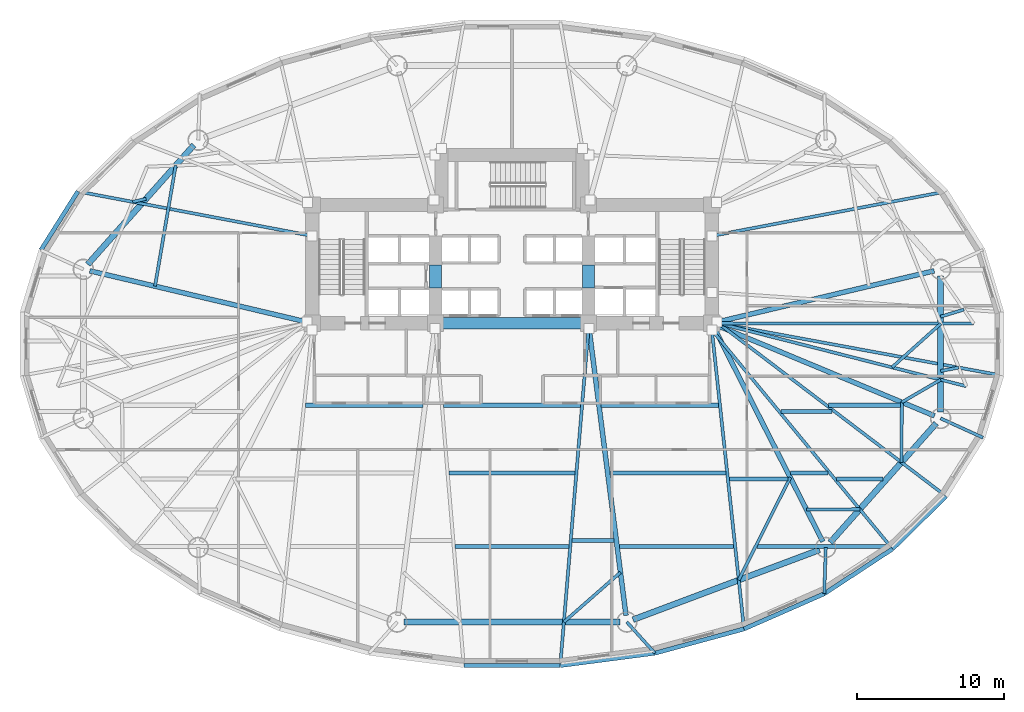
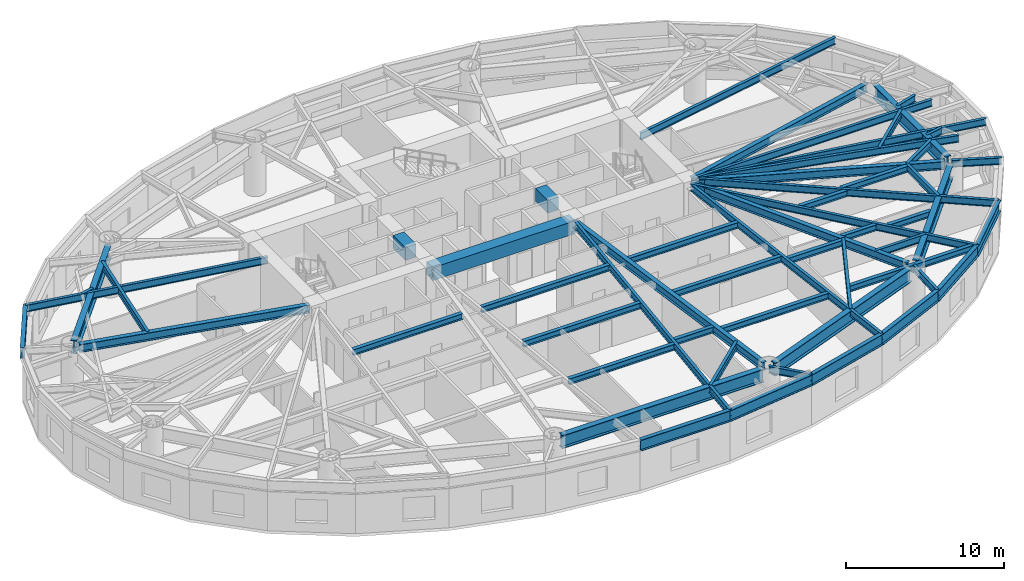
# One storey, part 2 of 14: 56 beams.
"""IFC4 building model written with IfcOpenShell, lengths in metres."""

import ifcopenshell
import ifcopenshell.guid

model = None  # the IFC model being written
_history = None  # IfcOwnerHistory: only IFC2X3 demands one
_inside = {}  # id of a spatial element -> (the spatial element, [elements in it])
_under = {}  # id of a project, library or spatial element -> (it, [spatial elements below it])
_declared = {}  # id of a project -> (the project, [libraries it declares])
_typed = {}  # id of a type object -> (the type object, [elements of that type])
_made_of = {}  # id of a material, layer set ... -> (it, [elements and type objects made of it])


def new_model(schema):
    """Start an empty IFC model of exactly this schema.

    Asked for "IFC4X3", IfcOpenShell would pick the latest addendum, in which some entities
    have other attributes; the version numbers below select the first issue.
    IFC2X3 requires an IfcOwnerHistory on every rooted entity: one is made here for all.
    """
    global model, _history
    if schema == "IFC4X3":
        model = ifcopenshell.file(schema_version=(4, 3, 0, 0))
    else:
        model = ifcopenshell.file(schema=schema)
    _inside.clear()
    _under.clear()
    _declared.clear()
    _typed.clear()
    _made_of.clear()
    _history = None
    if model.schema == "IFC2X3":
        org = make("IfcOrganization", Name="unknown")
        user = make(
            "IfcPersonAndOrganization",
            ThePerson=make("IfcPerson", FamilyName="unknown"),
            TheOrganization=org,
        )
        app = make(
            "IfcApplication",
            ApplicationDeveloper=org,
            Version="unknown",
            ApplicationFullName="unknown",
            ApplicationIdentifier="unknown",
        )
        _history = make(
            "IfcOwnerHistory",
            OwningUser=user,
            OwningApplication=app,
            ChangeAction="ADDED",
            CreationDate=0,
        )
    return model


def make(cls, **values):
    """One entity of the class cls with the attributes given. An attribute that is None is left unset."""
    return model.create_entity(
        cls, **{name: value for name, value in values.items() if value is not None}
    )


def rooted(cls, **values):
    """An entity with a GlobalId (a new one), such as an element, a storey or a relation."""
    return make(cls, GlobalId=ifcopenshell.guid.new(), OwnerHistory=_history, **values)


def si_unit(unit_type, name, prefix=None):
    """IfcSIUnit, for example si_unit("LENGTHUNIT", "METRE", prefix="MILLI")."""
    return make("IfcSIUnit", UnitType=unit_type, Prefix=prefix, Name=name)


def assignment(units):
    """IfcUnitAssignment: the units of a project."""
    return None if units is None else make("IfcUnitAssignment", Units=units)


def point(xyz):
    """IfcCartesianPoint."""
    return None if xyz is None else make("IfcCartesianPoint", Coordinates=xyz)


def direction(xyz):
    """IfcDirection."""
    return None if xyz is None else make("IfcDirection", DirectionRatios=xyz)


def frame(location, z_axis=None, x_axis=None):
    """IfcAxis2Placement3D, a coordinate frame: its origin and axes. An axis left out is left unset."""
    return make(
        "IfcAxis2Placement3D",
        Location=point(location),
        Axis=direction(z_axis),
        RefDirection=direction(x_axis),
    )


def frame_2d(location, x_axis=None):
    """IfcAxis2Placement2D, a coordinate frame in the plane: its origin and x axis."""
    return make(
        "IfcAxis2Placement2D", Location=point(location), RefDirection=direction(x_axis)
    )


def origin():
    """The frame at (0, 0, 0) with its axes left unset."""
    return frame((0.0, 0.0, 0.0))


def origin_2d():
    """The frame at (0, 0) in the plane with its x axis left unset."""
    return frame_2d((0.0, 0.0))


def place(relative_to, where):
    """IfcLocalPlacement: puts the frame where relative to a parent placement (None: the world)."""
    return make(
        "IfcLocalPlacement", PlacementRelTo=relative_to, RelativePlacement=where
    )


def context(
    kind, dimensions, precision=None, world=None, true_north=None, identifier=None
):
    """IfcGeometricRepresentationContext, for example the 3D "Model" context."""
    return make(
        "IfcGeometricRepresentationContext",
        ContextIdentifier=identifier,
        ContextType=kind,
        CoordinateSpaceDimension=dimensions,
        Precision=precision,
        WorldCoordinateSystem=world,
        TrueNorth=true_north,
    )


def subcontext(parent, identifier, kind, view, scale=None):
    """IfcGeometricRepresentationSubContext, for example "Body" below "Model"."""
    return make(
        "IfcGeometricRepresentationSubContext",
        ContextIdentifier=identifier,
        ContextType=kind,
        ParentContext=parent,
        TargetScale=scale,
        TargetView=view,
    )


def project(units=None, contexts=None):
    """IfcProject with its units and contexts."""
    return rooted(
        "IfcProject",
        Name="project",
        RepresentationContexts=contexts,
        UnitsInContext=assignment(units),
    )


def spatial(cls, under=None, at=None, **own):
    """A site, building, storey or space (cls), placed at a placement, below another one or the project."""
    s = rooted(cls, ObjectPlacement=at, **own)
    if under is not None:
        _under.setdefault(under.id(), (under, []))[1].append(s)
    return s


def profile(cls, at=None, kind="AREA", **sizes):
    """A parametric profile (cls). Its sizes go by their IFC names, for example OverallWidth=200.0."""
    return make(cls, ProfileType=kind, Position=at, **sizes)


def rectangle(**sizes):
    """IfcRectangleProfileDef."""
    return profile("IfcRectangleProfileDef", **sizes)


def i_section(**sizes):
    """IfcIShapeProfileDef."""
    return profile("IfcIShapeProfileDef", **sizes)


def extrude(swept, where, along, depth):
    """IfcExtrudedAreaSolid: the profile swept, set in the frame where, extruded along a direction by depth."""
    return make(
        "IfcExtrudedAreaSolid",
        SweptArea=swept,
        Position=where,
        ExtrudedDirection=direction(along),
        Depth=depth,
    )


def shape(context_of_items, identifier, shape_type, items):
    """IfcShapeRepresentation: the items that make up one representation, for example the "Body"."""
    return make(
        "IfcShapeRepresentation",
        ContextOfItems=context_of_items,
        RepresentationIdentifier=identifier,
        RepresentationType=shape_type,
        Items=items,
    )


def material(Name=None, Category=None):
    """IfcMaterial."""
    return make("IfcMaterial", Name=Name, Category=Category)


def material_profile(
    of_material, cross_section, Name=None, Category=None, Priority=None
):
    """IfcMaterialProfile: a cross section and its material."""
    return make(
        "IfcMaterialProfile",
        Name=Name,
        Material=of_material,
        Profile=cross_section,
        Priority=Priority,
        Category=Category,
    )


def profile_set(profiles, Name=None, composite=None):
    """IfcMaterialProfileSet."""
    return make(
        "IfcMaterialProfileSet",
        Name=Name,
        MaterialProfiles=profiles,
        CompositeProfile=composite,
    )


def made_of(thing, what):
    """Note that an element or type object is made of a material, layer set ...; save() writes the relation."""
    if what is not None:
        _made_of.setdefault(what.id(), (what, []))[1].append(thing)
    return thing


def type_object(cls, material=None, **own):
    """A type object (cls), such as IfcWallType, which elements share."""
    return made_of(rooted(cls, **own), material)


def element(
    cls,
    number,
    at=None,
    inside=None,
    cuts=None,
    type_object=None,
    material=None,
    context=None,
    identifier="Body",
    shape_type=None,
    held_by="IfcProductDefinitionShape",
    body=None,
    shapes=None,
    **own,
):
    """One element of the class cls, such as IfcWall. Its Tag is "e" and its number.

    at: its placement. inside: the storey or other place that contains it. cuts: it is an
    opening in that element (IfcRelVoidsElement). A single representation is given by context,
    identifier, shape_type and body (its items); several are given by shapes. held_by: the class
    of the entity that holds the representations. save() writes the other relations.
    """
    e = rooted(cls, Tag="e%d" % number, ObjectPlacement=at, **own)
    if body is not None:
        shapes = [shape(context, identifier, shape_type, body)]
    if shapes is not None:
        e.Representation = make(held_by, Representations=shapes)
    if inside is not None:
        _inside.setdefault(inside.id(), (inside, []))[1].append(e)
    if cuts is not None:
        rooted(
            "IfcRelVoidsElement", RelatingBuildingElement=cuts, RelatedOpeningElement=e
        )
    if type_object is not None:
        _typed.setdefault(type_object.id(), (type_object, []))[1].append(e)
    return made_of(e, material)


def aggregate(whole, parts):
    """IfcRelAggregates: a whole, such as a stair, and the parts it consists of."""
    return rooted("IfcRelAggregates", RelatingObject=whole, RelatedObjects=parts)


def save(model, path):
    """Write the relations noted so far, then the file.

    IfcRelAggregates (storeys below a building ...), IfcRelContainedInSpatialStructure (elements
    in a storey), IfcRelDefinesByType, IfcRelAssociatesMaterial and IfcRelDeclares: one each for
    every whole, place, type object, material and project.
    """
    for whole, parts in _under.values():
        aggregate(whole, parts)
    for where, things in _inside.values():
        rooted(
            "IfcRelContainedInSpatialStructure",
            RelatedElements=things,
            RelatingStructure=where,
        )
    for kind, things in _typed.values():
        rooted("IfcRelDefinesByType", RelatedObjects=things, RelatingType=kind)
    for what, things in _made_of.values():
        rooted("IfcRelAssociatesMaterial", RelatedObjects=things, RelatingMaterial=what)
    for by, libraries in _declared.values():
        rooted("IfcRelDeclares", RelatingContext=by, RelatedDefinitions=libraries)
    model.write(path)


model = new_model("IFC4")

# Units and contexts
model_context = context("Model", 3, precision=1e-05, world=origin(), true_north=direction((0.0, 1.0)))
body_context = subcontext(model_context, "Body", "Model", "MODEL_VIEW")
ifc_project = project(units=[si_unit("LENGTHUNIT", "METRE"), si_unit("AREAUNIT", "SQUARE_METRE"), si_unit("VOLUMEUNIT", "CUBIC_METRE"), si_unit("PLANEANGLEUNIT", "RADIAN"), si_unit("MASSUNIT", "GRAM", prefix="KILO")], contexts=[model_context])

# Site, building, storey
site_placement = place(None, origin())
site = spatial("IfcSite", under=ifc_project, at=site_placement, CompositionType="ELEMENT")
building_placement = place(site_placement, origin())
building = spatial("IfcBuilding", under=site, at=building_placement, Name="Keldmark Tower", CompositionType="ELEMENT")
storey_placement = place(building_placement, frame((0.0, 0.0, 14.39990234375)))
storey = spatial("IfcBuildingStorey", under=building, at=storey_placement, Name="L03", CompositionType="ELEMENT", Elevation=14.39990234375)

# Beams
ifc_material_1 = material(Name="Steel ASTM A992 Grade 50", Category="steel")
ifc_material_profile_1 = material_profile(ifc_material_1, i_section(OverallWidth=0.280029296875, OverallDepth=0.462890625, WebThickness=0.0107421875, FlangeThickness=0.017333984375, at=origin_2d()), Name="W18X76")
ifc_profile_set_1 = profile_set([ifc_material_profile_1], Name="Steel ASTM A992 Grade 50")
beam_type_1 = type_object("IfcBeamType", Name="Composite Floor Joist W18X76", PredefinedType="JOIST", material=ifc_profile_set_1)
beam_1_placement = place(storey_placement, frame((-3.8662109375, -13.800048828125, 3.74853515625), z_axis=(1.0, 0.0, 0.0), x_axis=(0.0, 1.0, 0.0)))
element("IfcBeam", 1, at=beam_1_placement, inside=storey, type_object=beam_type_1, Name="L03 Composite Floor Joist J04", PredefinedType="JOIST", context=body_context, shape_type="SweptSolid", body=[
    extrude(i_section(OverallWidth=0.280029296875, OverallDepth=0.462890625, WebThickness=0.0107421875, FlangeThickness=0.017333984375, at=origin_2d()), origin(), (0.0, 0.0, 1.0), 7.732421875),
])
beam_2_placement = place(storey_placement, frame((4.09423828125, -13.3798828125, 3.74853515625), z_axis=(1.0, 0.0, 0.0), x_axis=(0.0, 1.0, 0.0)))
element("IfcBeam", 2, at=beam_2_placement, inside=storey, type_object=beam_type_1, Name="L03 Composite Floor Joist J05", PredefinedType="JOIST", context=body_context, shape_type="SweptSolid", body=[
    extrude(i_section(OverallWidth=0.280029296875, OverallDepth=0.462890625, WebThickness=0.0107421875, FlangeThickness=0.017333984375, at=origin_2d()), origin(), (0.0, 0.0, 1.0), 2.851806640625),
])
beam_3_placement = place(storey_placement, frame((7.311767578125, -13.800048828125, 3.74853515625), z_axis=(1.0, 0.0, 0.0), x_axis=(0.0, 1.0, 0.0)))
element("IfcBeam", 3, at=beam_3_placement, inside=storey, type_object=beam_type_1, Name="L03 Composite Floor Joist J06", PredefinedType="JOIST", context=body_context, shape_type="SweptSolid", body=[
    extrude(i_section(OverallWidth=0.280029296875, OverallDepth=0.462890625, WebThickness=0.0107421875, FlangeThickness=0.017333984375, at=origin_2d()), origin(), (0.0, 0.0, 1.0), 7.780029296875),
])
beam_4_placement = place(storey_placement, frame((16.68310546875, -13.800048828125, 3.74853515625), z_axis=(1.0, 0.0, 0.0), x_axis=(0.0, 1.0, 0.0)))
element("IfcBeam", 4, at=beam_4_placement, inside=storey, type_object=beam_type_1, Name="L03 Composite Floor Joist J07", PredefinedType="JOIST", context=body_context, shape_type="SweptSolid", body=[
    extrude(i_section(OverallWidth=0.280029296875, OverallDepth=0.462890625, WebThickness=0.0107421875, FlangeThickness=0.017333984375, at=origin_2d()), origin(), (0.0, 0.0, 1.0), 8.95751953125),
])
beam_5_placement = place(storey_placement, frame((-4.287353515625, -8.780029296875, 3.74853515625), z_axis=(1.0, 0.0, 0.0), x_axis=(0.0, 1.0, 0.0)))
element("IfcBeam", 5, at=beam_5_placement, inside=storey, type_object=beam_type_1, Name="L03 Composite Floor Joist J12", PredefinedType="JOIST", context=body_context, shape_type="SweptSolid", body=[
    extrude(i_section(OverallWidth=0.280029296875, OverallDepth=0.462890625, WebThickness=0.0107421875, FlangeThickness=0.017333984375, at=origin_2d()), origin(), (0.0, 0.0, 1.0), 8.57470703125),
])
beam_6_placement = place(storey_placement, frame((6.665771484375, -8.780029296875, 3.74853515625), z_axis=(1.0, 0.0, 0.0), x_axis=(0.0, 1.0, 0.0)))
element("IfcBeam", 6, at=beam_6_placement, inside=storey, type_object=beam_type_1, Name="L03 Composite Floor Joist J13", PredefinedType="JOIST", context=body_context, shape_type="SweptSolid", body=[
    extrude(i_section(OverallWidth=0.280029296875, OverallDepth=0.462890625, WebThickness=0.0107421875, FlangeThickness=0.017333984375, at=origin_2d()), origin(), (0.0, 0.0, 1.0), 7.885498046875),
])
beam_7_placement = place(storey_placement, frame((14.789794921875, -9.199951171875, 3.74853515625), z_axis=(1.0, 0.0, 0.0), x_axis=(0.0, 1.0, 0.0)))
element("IfcBeam", 7, at=beam_7_placement, inside=storey, type_object=beam_type_1, Name="L03 Composite Floor Joist J14", PredefinedType="JOIST", context=body_context, shape_type="SweptSolid", body=[
    extrude(i_section(OverallWidth=0.280029296875, OverallDepth=0.462890625, WebThickness=0.0107421875, FlangeThickness=0.017333984375, at=origin_2d()), origin(), (0.0, 0.0, 1.0), 3.982421875),
])
beam_8_placement = place(storey_placement, frame((18.947265625, -8.780029296875, 3.74853515625), z_axis=(1.0, 0.0, 0.0), x_axis=(0.0, 1.0, 0.0)))
element("IfcBeam", 8, at=beam_8_placement, inside=storey, type_object=beam_type_1, Name="L03 Composite Floor Joist J15", PredefinedType="JOIST", context=body_context, shape_type="SweptSolid", body=[
    extrude(i_section(OverallWidth=0.280029296875, OverallDepth=0.462890625, WebThickness=0.0107421875, FlangeThickness=0.017333984375, at=origin_2d()), origin(), (0.0, 0.0, 1.0), 2.552734375),
])
beam_9_placement = place(storey_placement, frame((22.09814453125, -9.199951171875, 3.74853515625), z_axis=(1.0, 0.0, 0.0), x_axis=(0.0, 1.0, 0.0)))
element("IfcBeam", 9, at=beam_9_placement, inside=storey, type_object=beam_type_1, Name="L03 Composite Floor Joist J16", PredefinedType="JOIST", context=body_context, shape_type="SweptSolid", body=[
    extrude(i_section(OverallWidth=0.280029296875, OverallDepth=0.462890625, WebThickness=0.0107421875, FlangeThickness=0.017333984375, at=origin_2d()), origin(), (0.0, 0.0, 1.0), 3.142822265625),
])
beam_10_placement = place(storey_placement, frame((-14.055908203125, -4.179931640625, 3.74853515625), z_axis=(1.0, 0.0, 0.0), x_axis=(0.0, 1.0, 0.0)))
element("IfcBeam", 10, at=beam_10_placement, inside=storey, type_object=beam_type_1, Name="L03 Composite Floor Joist J20", PredefinedType="JOIST", context=body_context, shape_type="SweptSolid", body=[
    extrude(i_section(OverallWidth=0.280029296875, OverallDepth=0.462890625, WebThickness=0.0107421875, FlangeThickness=0.017333984375, at=origin_2d()), origin(), (0.0, 0.0, 1.0), 7.98193359375),
])
beam_11_placement = place(storey_placement, frame((-4.67333984375, -4.179931640625, 3.74853515625), z_axis=(1.0, 0.0, 0.0), x_axis=(0.0, 1.0, 0.0)))
element("IfcBeam", 11, at=beam_11_placement, inside=storey, type_object=beam_type_1, Name="L03 Composite Floor Joist J21", PredefinedType="JOIST", context=body_context, shape_type="SweptSolid", body=[
    extrude(i_section(OverallWidth=0.280029296875, OverallDepth=0.462890625, WebThickness=0.0107421875, FlangeThickness=0.017333984375, at=origin_2d()), origin(), (0.0, 0.0, 1.0), 9.3466796875),
])
beam_12_placement = place(storey_placement, frame((6.073974609375, -4.179931640625, 3.74853515625), z_axis=(1.0, 0.0, 0.0), x_axis=(0.0, 1.0, 0.0)))
element("IfcBeam", 12, at=beam_12_placement, inside=storey, type_object=beam_type_1, Name="L03 Composite Floor Joist J22", PredefinedType="JOIST", context=body_context, shape_type="SweptSolid", body=[
    extrude(i_section(OverallWidth=0.280029296875, OverallDepth=0.462890625, WebThickness=0.0107421875, FlangeThickness=0.017333984375, at=origin_2d()), origin(), (0.0, 0.0, 1.0), 7.98193359375),
])
beam_13_placement = place(storey_placement, frame((18.303955078125, -4.60009765625, 3.74853515625), z_axis=(1.0, 0.0, 0.0), x_axis=(0.0, 1.0, 0.0)))
element("IfcBeam", 13, at=beam_13_placement, inside=storey, type_object=beam_type_1, Name="L03 Composite Floor Joist J23", PredefinedType="JOIST", context=body_context, shape_type="SweptSolid", body=[
    extrude(i_section(OverallWidth=0.280029296875, OverallDepth=0.462890625, WebThickness=0.0107421875, FlangeThickness=0.017333984375, at=origin_2d()), origin(), (0.0, 0.0, 1.0), 3.482177734375),
])
beam_14_placement = place(storey_placement, frame((21.55712890625, -4.179931640625, 3.74853515625), z_axis=(1.0, 0.0, 0.0), x_axis=(0.0, 1.0, 0.0)))
element("IfcBeam", 14, at=beam_14_placement, inside=storey, type_object=beam_type_1, Name="L03 Composite Floor Joist J24", PredefinedType="JOIST", context=body_context, shape_type="SweptSolid", body=[
    extrude(i_section(OverallWidth=0.280029296875, OverallDepth=0.462890625, WebThickness=0.0107421875, FlangeThickness=0.017333984375, at=origin_2d()), origin(), (0.0, 0.0, 1.0), 4.87646484375),
])
ifc_material_2 = material(Name="Concrete C70/85", Category="concrete")
ifc_material_profile_2 = material_profile(ifc_material_2, rectangle(XDim=0.800048828125, YDim=1.0, at=origin_2d()), Name="RCB800X1000")
ifc_profile_set_2 = profile_set([ifc_material_profile_2], Name="Concrete C70/85")
beam_type_2 = type_object("IfcBeamType", Name="Core Coupling Beam RCB800X1000", PredefinedType="USERDEFINED", material=ifc_profile_set_2)
for number, where, z_axis, x_axis, name in (
    (15, (-5.199951171875, 3.800048828125, 3.47998046875), (0.0, 1.0, 0.0), (-1.0, 0.0, 0.0), "L03 West Core Coupling Beam"),
    (16, (5.199951171875, 3.800048828125, 3.47998046875), (0.0, 1.0, 0.0), (-1.0, 0.0, 0.0), "L03 East Core Coupling Beam"),
):
    element("IfcBeam", number, at=place(storey_placement, frame(where, z_axis=z_axis, x_axis=x_axis)), inside=storey, type_object=beam_type_2, Name=name, ObjectType="COUPLING BEAM", PredefinedType="USERDEFINED", context=body_context, shape_type="SweptSolid", body=[
        extrude(rectangle(XDim=0.800048828125, YDim=1.0, at=origin_2d()), origin(), (0.0, 0.0, 1.0), 1.550048828125),
    ])
beam_15_placement = place(storey_placement, frame((-5.199951171875, 1.39990234375, 3.47998046875), z_axis=(1.0, 0.0, 0.0), x_axis=(0.0, 1.0, 0.0)))
element("IfcBeam", 17, at=beam_15_placement, inside=storey, type_object=beam_type_2, Name="L03 Central South Core Coupling Beam", ObjectType="COUPLING BEAM", PredefinedType="USERDEFINED", context=body_context, shape_type="SweptSolid", body=[
    extrude(rectangle(XDim=0.800048828125, YDim=1.0, at=origin_2d()), origin(), (0.0, 0.0, 1.0), 10.39990234375),
])
ifc_material_3 = material(Name="Steel ASTM A992 Grade 50", Category="steel")
ifc_material_profile_3 = material_profile(ifc_material_3, i_section(OverallWidth=0.402099609375, OverallDepth=1.011962890625, WebThickness=0.023681640625, FlangeThickness=0.0419921875, at=origin_2d()), Name="W40X297")
ifc_profile_set_3 = profile_set([ifc_material_profile_3], Name="Steel ASTM A992 Grade 50")
beam_type_3 = type_object("IfcBeamType", Name="Podium Primary Girder W40X297", PredefinedType="BEAM", material=ifc_profile_set_3)
beam_16_placement = place(storey_placement, frame((-21.65380859375, 13.523193359375, 3.47412109375), z_axis=(-0.66464984112, -0.747154996436, 0.0), x_axis=(0.747154996436, -0.66464984112, 0.0)))
element("IfcBeam", 18, at=beam_16_placement, inside=storey, type_object=beam_type_3, Name="L03 Podium Ring Girder PG-R05", PredefinedType="BEAM", context=body_context, shape_type="SweptSolid", body=[
    extrude(i_section(OverallWidth=0.402099609375, OverallDepth=1.011962890625, WebThickness=0.023681640625, FlangeThickness=0.0419921875, at=origin_2d()), origin(), (0.0, 0.0, 1.0), 10.85986328125),
])
beam_17_placement = place(storey_placement, frame((-7.3662109375, -18.93212890625, 3.47412109375), z_axis=(1.0, 0.0, 0.0), x_axis=(0.0, 1.0, 0.0)))
element("IfcBeam", 19, at=beam_17_placement, inside=storey, type_object=beam_type_3, Name="L03 Podium Ring Girder PG-R09", PredefinedType="BEAM", context=body_context, shape_type="SweptSolid", body=[
    extrude(i_section(OverallWidth=0.402099609375, OverallDepth=1.011962890625, WebThickness=0.023681640625, FlangeThickness=0.0419921875, at=origin_2d()), origin(), (0.0, 0.0, 1.0), 14.732421875),
])
beam_18_placement = place(storey_placement, frame((8.23779296875, -18.774169921875, 3.47412109375), z_axis=(0.936417954382, 0.350886612329, 0.0), x_axis=(-0.350886612329, 0.936417954382, 0.0)))
element("IfcBeam", 20, at=beam_18_placement, inside=storey, type_object=beam_type_3, Name="L03 Podium Ring Girder PG-R10", PredefinedType="BEAM", context=body_context, shape_type="SweptSolid", body=[
    extrude(i_section(OverallWidth=0.402099609375, OverallDepth=1.011962890625, WebThickness=0.023681640625, FlangeThickness=0.0419921875, at=origin_2d()), origin(), (0.0, 0.0, 1.0), 13.557373046875),
])
beam_19_placement = place(storey_placement, frame((21.65380859375, -13.523193359375, 3.47412109375), z_axis=(0.66464984112, 0.747154996436, 0.0), x_axis=(-0.747154996436, 0.66464984112, 0.0)))
element("IfcBeam", 21, at=beam_19_placement, inside=storey, type_object=beam_type_3, Name="L03 Podium Ring Girder PG-R11", PredefinedType="BEAM", context=body_context, shape_type="SweptSolid", body=[
    extrude(i_section(OverallWidth=0.402099609375, OverallDepth=1.011962890625, WebThickness=0.023681640625, FlangeThickness=0.0419921875, at=origin_2d()), origin(), (0.0, 0.0, 1.0), 10.85986328125),
])
beam_20_placement = place(storey_placement, frame((29.1708984375, -4.622802734375, 3.47412109375), z_axis=(0.0, 1.0, 0.0), x_axis=(-1.0, 0.0, 0.0)))
element("IfcBeam", 22, at=beam_20_placement, inside=storey, type_object=beam_type_3, Name="L03 Podium Ring Girder PG-R12", PredefinedType="BEAM", context=body_context, shape_type="SweptSolid", body=[
    extrude(i_section(OverallWidth=0.402099609375, OverallDepth=1.011962890625, WebThickness=0.023681640625, FlangeThickness=0.0419921875, at=origin_2d()), origin(), (0.0, 0.0, 1.0), 9.24560546875),
])
ifc_material_4 = material(Name="Steel ASTM A992 Grade 50", Category="steel")
ifc_material_profile_4 = material_profile(ifc_material_4, i_section(OverallWidth=0.2099609375, OverallDepth=0.537109375, WebThickness=0.010986328125, FlangeThickness=0.017333984375, at=origin_2d()), Name="W21X68")
ifc_profile_set_4 = profile_set([ifc_material_profile_4], Name="Steel ASTM A992 Grade 50")
beam_type_4 = type_object("IfcBeamType", Name="Radial Tie Girder W21X68", PredefinedType="BEAM", material=ifc_profile_set_4)
beam_21_placement = place(storey_placement, frame((-24.29541015625, 3.9228515625, 3.711669921875), z_axis=(0.168727090465, 0.985662806919, 0.0), x_axis=(-0.985662806919, 0.168727090465, 0.0)))
element("IfcBeam", 23, at=beam_21_placement, inside=storey, type_object=beam_type_4, Name="L03 Framing Pin Header PH-002", PredefinedType="BEAM", context=body_context, shape_type="SweptSolid", body=[
    extrude(i_section(OverallWidth=0.2099609375, OverallDepth=0.537109375, WebThickness=0.010986328125, FlangeThickness=0.017333984375, at=origin_2d()), origin(), (0.0, 0.0, 1.0), 8.330078125),
])
beam_22_placement = place(storey_placement, frame((26.53076171875, -3.975341796875, 3.711669921875), z_axis=(0.864583927723, 0.502488439591, 0.0), x_axis=(-0.502488439591, 0.864583927723, 0.0)))
element("IfcBeam", 24, at=beam_22_placement, inside=storey, type_object=beam_type_4, Name="L03 Framing Pin Header PH-004", PredefinedType="BEAM", context=body_context, shape_type="SweptSolid", body=[
    extrude(i_section(OverallWidth=0.2099609375, OverallDepth=0.537109375, WebThickness=0.010986328125, FlangeThickness=0.017333984375, at=origin_2d()), origin(), (0.0, 0.0, 1.0), 3.0537109375),
])
beam_23_placement = place(storey_placement, frame((14.050048828125, 1.39990234375, 3.711669921875), z_axis=(0.969223280707, -0.246183330336, 0.0), x_axis=(0.246183330336, 0.969223280707, 0.0)))
element("IfcBeam", 25, at=beam_23_placement, inside=storey, type_object=beam_type_4, Name="L03 Sub-Ring Step Girder STP1-M12", PredefinedType="BEAM", context=body_context, shape_type="SweptSolid", body=[
    extrude(i_section(OverallWidth=0.2099609375, OverallDepth=0.537109375, WebThickness=0.010986328125, FlangeThickness=0.017333984375, at=origin_2d()), origin(), (0.0, 0.0, 1.0), 17.409423828125),
])
beam_24_placement = place(storey_placement, frame((25.861328125, -1.60009765625, 3.711669921875), z_axis=(0.744769074926, 0.667322279737, 0.0), x_axis=(-0.667322279737, 0.744769074926, 0.0)))
element("IfcBeam", 26, at=beam_24_placement, inside=storey, type_object=beam_type_4, Name="L03 Framing Pin Header PH-007", PredefinedType="BEAM", context=body_context, shape_type="SweptSolid", body=[
    extrude(i_section(OverallWidth=0.2099609375, OverallDepth=0.537109375, WebThickness=0.010986328125, FlangeThickness=0.017333984375, at=origin_2d()), origin(), (0.0, 0.0, 1.0), 4.4638671875),
])
beam_25_placement = place(storey_placement, frame((14.050048828125, 1.39990234375, 3.711669921875), z_axis=(0.999999012479, -0.001405361477, 0.0), x_axis=(0.001405361477, 0.999999012479, 0.0)))
element("IfcBeam", 27, at=beam_25_placement, inside=storey, type_object=beam_type_4, Name="L03 Intermediate Radial Step Girder RT-01M", PredefinedType="BEAM", context=body_context, shape_type="SweptSolid", body=[
    extrude(i_section(OverallWidth=0.2099609375, OverallDepth=0.537109375, WebThickness=0.010986328125, FlangeThickness=0.017333984375, at=origin_2d()), origin(), (0.0, 0.0, 1.0), 17.3720703125),
])
beam_26_placement = place(storey_placement, frame((29.1708984375, 1.84912109375, 3.711669921875), z_axis=(0.956545506863, 0.291583081299, 0.0), x_axis=(-0.291583081299, 0.956545506863, 0.0)))
element("IfcBeam", 28, at=beam_26_placement, inside=storey, type_object=beam_type_4, Name="L03 Framing Pin Header PH-008", PredefinedType="BEAM", context=body_context, shape_type="SweptSolid", body=[
    extrude(i_section(OverallWidth=0.2099609375, OverallDepth=0.537109375, WebThickness=0.010986328125, FlangeThickness=0.017333984375, at=origin_2d()), origin(), (0.0, 0.0, 1.0), 1.659423828125),
])
beam_27_placement = place(storey_placement, frame((13.60009765625, 7.343017578125, 3.711669921875), z_axis=(0.982445190552, 0.186551460894, 0.0), x_axis=(-0.186551460894, 0.982445190552, 0.0)))
element("IfcBeam", 29, at=beam_27_placement, inside=storey, type_object=beam_type_4, Name="L03 Perimeter Radial Tie Girder RT-03", PredefinedType="BEAM", context=body_context, shape_type="SweptSolid", body=[
    extrude(i_section(OverallWidth=0.2099609375, OverallDepth=0.537109375, WebThickness=0.010986328125, FlangeThickness=0.017333984375, at=origin_2d()), origin(), (0.0, 0.0, 1.0), 16.229248046875),
])
beam_28_placement = place(storey_placement, frame((-24.90185546875, 9.871826171875, 3.711669921875), z_axis=(-0.974258642334, -0.225433133848, 0.0), x_axis=(0.225433133848, -0.974258642334, 0.0)))
element("IfcBeam", 30, at=beam_28_placement, inside=storey, type_object=beam_type_4, Name="L03 Framing Pin Header PH-016", PredefinedType="BEAM", context=body_context, shape_type="SweptSolid", body=[
    extrude(i_section(OverallWidth=0.2099609375, OverallDepth=0.537109375, WebThickness=0.010986328125, FlangeThickness=0.017333984375, at=origin_2d()), origin(), (0.0, 0.0, 1.0), 0.932373046875),
])
beam_29_placement = place(storey_placement, frame((-13.60009765625, 7.343017578125, 3.711669921875), z_axis=(-0.982445190552, 0.186551460894, 0.0), x_axis=(-0.186551460894, -0.982445190552, 0.0)))
element("IfcBeam", 31, at=beam_29_placement, inside=storey, type_object=beam_type_4, Name="L03 Perimeter Radial Tie Girder RT-14", PredefinedType="BEAM", context=body_context, shape_type="SweptSolid", body=[
    extrude(i_section(OverallWidth=0.2099609375, OverallDepth=0.537109375, WebThickness=0.010986328125, FlangeThickness=0.017333984375, at=origin_2d()), origin(), (0.0, 0.0, 1.0), 16.229248046875),
])
beam_30_placement = place(storey_placement, frame((7.3818359375, -15.554931640625, 3.711669921875), z_axis=(-0.751746259669, -0.659452470671, 0.0), x_axis=(0.659452470671, -0.751746259669, 0.0)))
element("IfcBeam", 32, at=beam_30_placement, inside=storey, type_object=beam_type_4, Name="L03 Framing Pin Header PH-023", PredefinedType="BEAM", context=body_context, shape_type="SweptSolid", body=[
    extrude(i_section(OverallWidth=0.2099609375, OverallDepth=0.537109375, WebThickness=0.010986328125, FlangeThickness=0.017333984375, at=origin_2d()), origin(), (0.0, 0.0, 1.0), 5.12109375),
])
beam_31_placement = place(storey_placement, frame((5.199951171875, 0.949951171875, 3.711669921875), z_axis=(-0.083591035889, -0.996500144867, 0.0), x_axis=(0.996500144867, -0.083591035889, 0.0)))
element("IfcBeam", 33, at=beam_31_placement, inside=storey, type_object=beam_type_4, Name="L03 Perimeter Radial Tie Girder RT-25", PredefinedType="BEAM", context=body_context, shape_type="SweptSolid", body=[
    extrude(i_section(OverallWidth=0.2099609375, OverallDepth=0.537109375, WebThickness=0.010986328125, FlangeThickness=0.017333984375, at=origin_2d()), origin(), (0.0, 0.0, 1.0), 22.92431640625),
])
beam_32_placement = place(storey_placement, frame((7.81640625, -18.93212890625, 3.711669921875), z_axis=(0.668898533975, -0.743353718795, 0.0), x_axis=(0.743353718795, 0.668898533975, 0.0)))
element("IfcBeam", 34, at=beam_32_placement, inside=storey, type_object=beam_type_4, Name="L03 Perimeter Column Bracket RT-26", PredefinedType="BEAM", context=body_context, shape_type="SweptSolid", body=[
    extrude(i_section(OverallWidth=0.2099609375, OverallDepth=0.537109375, WebThickness=0.010986328125, FlangeThickness=0.017333984375, at=origin_2d()), origin(), (0.0, 0.0, 1.0), 2.852783203125),
])
beam_33_placement = place(storey_placement, frame((18.93310546875, -9.09423828125, 3.711669921875), z_axis=(-0.447976051769, -0.894045556469, 0.0), x_axis=(0.894045556469, -0.447976051769, 0.0)))
element("IfcBeam", 35, at=beam_33_placement, inside=storey, type_object=beam_type_4, Name="L03 Framing Pin Header PH-024", PredefinedType="BEAM", context=body_context, shape_type="SweptSolid", body=[
    extrude(i_section(OverallWidth=0.2099609375, OverallDepth=0.537109375, WebThickness=0.010986328125, FlangeThickness=0.017333984375, at=origin_2d()), origin(), (0.0, 0.0, 1.0), 7.811279296875),
])
beam_34_placement = place(storey_placement, frame((13.60009765625, 0.949951171875, 3.711669921875), z_axis=(0.10706666985, -0.994251843452, 0.0), x_axis=(0.994251843452, 0.10706666985, 0.0)))
element("IfcBeam", 36, at=beam_34_placement, inside=storey, type_object=beam_type_4, Name="L03 Perimeter Radial Tie Girder RT-27", PredefinedType="BEAM", context=body_context, shape_type="SweptSolid", body=[
    extrude(i_section(OverallWidth=0.2099609375, OverallDepth=0.537109375, WebThickness=0.010986328125, FlangeThickness=0.017333984375, at=origin_2d()), origin(), (0.0, 0.0, 1.0), 20.469970703125),
])
beam_35_placement = place(storey_placement, frame((21.3544921875, -13.859375, 3.711669921875), z_axis=(-0.032491176768, -0.999472022336, 0.0), x_axis=(0.999472022336, -0.032491176768, 0.0)))
element("IfcBeam", 37, at=beam_35_placement, inside=storey, type_object=beam_type_4, Name="L03 Perimeter Column Bracket RT-28", PredefinedType="BEAM", context=body_context, shape_type="SweptSolid", body=[
    extrude(i_section(OverallWidth=0.2099609375, OverallDepth=0.537109375, WebThickness=0.010986328125, FlangeThickness=0.017333984375, at=origin_2d()), origin(), (0.0, 0.0, 1.0), 3.1484375),
])
beam_36_placement = place(storey_placement, frame((20.0419921875, -11.276123046875, 3.711669921875), z_axis=(0.999986569863, 0.005182672537, 0.0), x_axis=(-0.005182672537, 0.999986569863, 0.0)))
element("IfcBeam", 38, at=beam_36_placement, inside=storey, type_object=beam_type_4, Name="L03 Framing Pin Header PH-025", PredefinedType="BEAM", context=body_context, shape_type="SweptSolid", body=[
    extrude(i_section(OverallWidth=0.2099609375, OverallDepth=0.537109375, WebThickness=0.010986328125, FlangeThickness=0.017333984375, at=origin_2d()), origin(), (0.0, 0.0, 1.0), 3.627197265625),
])
beam_37_placement = place(storey_placement, frame((13.60009765625, 0.949951171875, 3.711669921875), z_axis=(0.636316421227, -0.771428163912, 0.0), x_axis=(0.771428163912, 0.636316421227, 0.0)))
element("IfcBeam", 39, at=beam_37_placement, inside=storey, type_object=beam_type_4, Name="L03 Perimeter Radial Tie Girder RT-29", PredefinedType="BEAM", context=body_context, shape_type="SweptSolid", body=[
    extrude(i_section(OverallWidth=0.2099609375, OverallDepth=0.537109375, WebThickness=0.010986328125, FlangeThickness=0.017333984375, at=origin_2d()), origin(), (0.0, 0.0, 1.0), 19.323486328125),
])
beam_38_placement = place(storey_placement, frame((26.53076171875, -3.975341796875, 3.711669921875), z_axis=(-0.005253345215, -0.999986201087, 0.0), x_axis=(0.999986201087, -0.005253345215, 0.0)))
element("IfcBeam", 40, at=beam_38_placement, inside=storey, type_object=beam_type_4, Name="L03 Framing Pin Header PH-026", PredefinedType="BEAM", context=body_context, shape_type="SweptSolid", body=[
    extrude(i_section(OverallWidth=0.2099609375, OverallDepth=0.537109375, WebThickness=0.010986328125, FlangeThickness=0.017333984375, at=origin_2d()), origin(), (0.0, 0.0, 1.0), 4.089599609375),
])
beam_39_placement = place(storey_placement, frame((14.050048828125, 1.39990234375, 3.711669921875), z_axis=(0.796291526481, -0.604913055616, 0.0), x_axis=(0.604913055616, 0.796291526481, 0.0)))
element("IfcBeam", 41, at=beam_39_placement, inside=storey, type_object=beam_type_4, Name="L03 Perimeter Radial Tie Girder RT-30", PredefinedType="BEAM", context=body_context, shape_type="SweptSolid", body=[
    extrude(i_section(OverallWidth=0.2099609375, OverallDepth=0.537109375, WebThickness=0.010986328125, FlangeThickness=0.017333984375, at=origin_2d()), origin(), (0.0, 0.0, 1.0), 19.458251953125),
])
beam_40_placement = place(storey_placement, frame((29.1708984375, -5.072998046875, 3.711669921875), z_axis=(0.910237250682, -0.414087125458, 0.0), x_axis=(0.414087125458, 0.910237250682, 0.0)))
element("IfcBeam", 42, at=beam_40_placement, inside=storey, type_object=beam_type_4, Name="L03 Perimeter Column Bracket RT-31", PredefinedType="BEAM", context=body_context, shape_type="SweptSolid", body=[
    extrude(i_section(OverallWidth=0.2099609375, OverallDepth=0.537109375, WebThickness=0.010986328125, FlangeThickness=0.017333984375, at=origin_2d()), origin(), (0.0, 0.0, 1.0), 3.17138671875),
])
beam_41_placement = place(storey_placement, frame((29.1708984375, -1.84912109375, 3.711669921875), z_axis=(0.982609535438, 0.185683873469, 0.0), x_axis=(-0.185683873469, 0.982609535438, 0.0)))
element("IfcBeam", 43, at=beam_41_placement, inside=storey, type_object=beam_type_4, Name="L03 Framing Pin Header PH-027", PredefinedType="BEAM", context=body_context, shape_type="SweptSolid", body=[
    extrude(i_section(OverallWidth=0.2099609375, OverallDepth=0.537109375, WebThickness=0.010986328125, FlangeThickness=0.017333984375, at=origin_2d()), origin(), (0.0, 0.0, 1.0), 1.257080078125),
])
beam_42_placement = place(storey_placement, frame((14.050048828125, 1.39990234375, 3.711669921875), z_axis=(0.983423761945, -0.181322101363, 0.0), x_axis=(0.181322101363, 0.983423761945, 0.0)))
element("IfcBeam", 44, at=beam_42_placement, inside=storey, type_object=beam_type_4, Name="L03 Perimeter Radial Tie Girder RT-32", PredefinedType="BEAM", context=body_context, shape_type="SweptSolid", body=[
    extrude(i_section(OverallWidth=0.2099609375, OverallDepth=0.537109375, WebThickness=0.010986328125, FlangeThickness=0.017333984375, at=origin_2d()), origin(), (0.0, 0.0, 1.0), 19.61376953125),
])
ifc_material_5 = material(Name="Steel ASTM A992 Grade 50", Category="steel")
ifc_material_profile_5 = material_profile(ifc_material_5, i_section(OverallWidth=0.326904296875, OverallDepth=0.6220703125, WebThickness=0.015380859375, FlangeThickness=0.0244140625, at=origin_2d()), Name="W24X131")
ifc_profile_set_5 = profile_set([ifc_material_profile_5], Name="Steel ASTM A992 Grade 50")
beam_type_5 = type_object("IfcBeamType", Name="Spandrel Ring Beam W24X131", PredefinedType="SPANDREL", material=ifc_profile_set_5)
for number, where, z_axis, x_axis, name in (
    (45, (28.73291015625, 4.969482421875, 3.669189453125), (-0.973292516513, -0.229568458854, 0.0), (0.229568458854, -0.973292516513, 0.0), "L03 Podium Radial Girder PG-C01"),
    (46, (-28.73291015625, 4.969482421875, 3.669189453125), (0.973292516513, -0.229568458854, 0.0), (0.229568458854, 0.973292516513, 0.0), "L03 Podium Radial Girder PG-C06"),
):
    element("IfcBeam", number, at=place(storey_placement, frame(where, z_axis=z_axis, x_axis=x_axis)), inside=storey, type_object=beam_type_5, Name=name, PredefinedType="SPANDREL", context=body_context, shape_type="SweptSolid", body=[
        extrude(i_section(OverallWidth=0.326904296875, OverallDepth=0.6220703125, WebThickness=0.015380859375, FlangeThickness=0.0244140625, at=origin_2d()), origin(), (0.0, 0.0, 1.0), 15.1982421875),
    ])
beam_43_placement = place(storey_placement, frame((7.7587890625, -18.48583984375, 3.669189453125), z_axis=(-0.127622930912, 0.991822760127, 0.0), x_axis=(-0.991822760127, -0.127622930912, 0.0)))
element("IfcBeam", 47, at=beam_43_placement, inside=storey, type_object=beam_type_5, Name="L03 Podium Radial Girder PG-C10", PredefinedType="SPANDREL", context=body_context, shape_type="SweptSolid", body=[
    extrude(i_section(OverallWidth=0.326904296875, OverallDepth=0.6220703125, WebThickness=0.015380859375, FlangeThickness=0.0244140625, at=origin_2d()), origin(), (0.0, 0.0, 1.0), 19.699951171875),
])
beam_44_placement = place(storey_placement, frame((21.150634765625, -13.4580078125, 3.669189453125), z_axis=(-0.45304555932, 0.891487364566, 0.0), x_axis=(-0.891487364566, -0.45304555932, 0.0)))
element("IfcBeam", 48, at=beam_44_placement, inside=storey, type_object=beam_type_5, Name="L03 Podium Radial Girder PG-C11", PredefinedType="SPANDREL", context=body_context, shape_type="SweptSolid", body=[
    extrude(i_section(OverallWidth=0.326904296875, OverallDepth=0.6220703125, WebThickness=0.015380859375, FlangeThickness=0.0244140625, at=origin_2d()), origin(), (0.0, 0.0, 1.0), 16.31640625),
])
beam_45_placement = place(storey_placement, frame((28.755615234375, -4.900146484375, 3.669189453125), z_axis=(-0.923395872542, 0.383849010123, 0.0), x_axis=(-0.383849010123, -0.923395872542, 0.0)))
element("IfcBeam", 49, at=beam_45_placement, inside=storey, type_object=beam_type_5, Name="L03 Podium Radial Girder PG-C12", PredefinedType="SPANDREL", context=body_context, shape_type="SweptSolid", body=[
    extrude(i_section(OverallWidth=0.326904296875, OverallDepth=0.6220703125, WebThickness=0.015380859375, FlangeThickness=0.0244140625, at=origin_2d()), origin(), (0.0, 0.0, 1.0), 16.06298828125),
])
ifc_material_6 = material(Name="Steel ASTM A992 Grade 50", Category="steel")
ifc_material_profile_6 = material_profile(ifc_material_6, i_section(OverallWidth=0.2919921875, OverallDepth=0.85888671875, WebThickness=0.01708984375, FlangeThickness=0.031005859375, at=origin_2d()), Name="W33X169")
ifc_profile_set_6 = profile_set([ifc_material_profile_6], Name="Steel ASTM A992 Grade 50")
beam_type_6 = type_object("IfcBeamType", Name="Spandrel Ring Beam W33X169", PredefinedType="SPANDREL", material=ifc_profile_set_6)
beam_46_placement = place(storey_placement, frame((-29.54443359375, 10.37060546875, 3.550537109375), z_axis=(-0.53349762721, -0.845801561693, 0.0), x_axis=(0.845801561693, -0.53349762721, 0.0)))
element("IfcBeam", 50, at=beam_46_placement, inside=storey, type_object=beam_type_6, Name="L03 Perimeter Spandrel Ring Beam SRB-14", PredefinedType="SPANDREL", context=body_context, shape_type="SweptSolid", body=[
    extrude(i_section(OverallWidth=0.2919921875, OverallDepth=0.85888671875, WebThickness=0.01708984375, FlangeThickness=0.031005859375, at=origin_2d()), origin(), (0.0, 0.0, 1.0), 4.710693359375),
])
beam_47_placement = place(storey_placement, frame((-3.28369140625, -21.89404296875, 3.550537109375), z_axis=(1.0, 0.0, 0.0), x_axis=(0.0, 1.0, 0.0)))
element("IfcBeam", 51, at=beam_47_placement, inside=storey, type_object=beam_type_6, Name="L03 Perimeter Spandrel Ring Beam SRB-24", PredefinedType="SPANDREL", context=body_context, shape_type="SweptSolid", body=[
    extrude(i_section(OverallWidth=0.2919921875, OverallDepth=0.85888671875, WebThickness=0.01708984375, FlangeThickness=0.031005859375, at=origin_2d()), origin(), (0.0, 0.0, 1.0), 6.5673828125),
])
beam_48_placement = place(storey_placement, frame((3.28369140625, -21.89404296875, 3.550537109375), z_axis=(0.991576921472, 0.129519144545, 0.0), x_axis=(-0.129519144545, 0.991576921472, 0.0)))
element("IfcBeam", 52, at=beam_48_placement, inside=storey, type_object=beam_type_6, Name="L03 Perimeter Spandrel Ring Beam SRB-25", PredefinedType="SPANDREL", context=body_context, shape_type="SweptSolid", body=[
    extrude(i_section(OverallWidth=0.2919921875, OverallDepth=0.85888671875, WebThickness=0.01708984375, FlangeThickness=0.031005859375, at=origin_2d()), origin(), (0.0, 0.0, 1.0), 6.49560546875),
])
beam_49_placement = place(storey_placement, frame((9.724609375, -21.052734375, 3.550537109375), z_axis=(0.964936550718, 0.262483243445, 0.0), x_axis=(-0.262483243445, 0.964936550718, 0.0)))
element("IfcBeam", 53, at=beam_49_placement, inside=storey, type_object=beam_type_6, Name="L03 Perimeter Spandrel Ring Beam SRB-26", PredefinedType="SPANDREL", context=body_context, shape_type="SweptSolid", body=[
    extrude(i_section(OverallWidth=0.2919921875, OverallDepth=0.85888671875, WebThickness=0.01708984375, FlangeThickness=0.031005859375, at=origin_2d()), origin(), (0.0, 0.0, 1.0), 6.28759765625),
])
beam_50_placement = place(storey_placement, frame((15.791748046875, -19.40234375, 3.550537109375), z_axis=(0.91570760638, 0.401845218484, 0.0), x_axis=(-0.401845218484, 0.91570760638, 0.0)))
element("IfcBeam", 54, at=beam_50_placement, inside=storey, type_object=beam_type_6, Name="L03 Perimeter Spandrel Ring Beam SRB-27", PredefinedType="SPANDREL", context=body_context, shape_type="SweptSolid", body=[
    extrude(i_section(OverallWidth=0.2919921875, OverallDepth=0.85888671875, WebThickness=0.01708984375, FlangeThickness=0.031005859375, at=origin_2d()), origin(), (0.0, 0.0, 1.0), 5.963134765625),
])
beam_51_placement = place(storey_placement, frame((21.252197265625, -17.006103515625, 3.550537109375), z_axis=(0.835897322981, 0.548885840073, 0.0), x_axis=(-0.548885840073, 0.835897322981, 0.0)))
element("IfcBeam", 55, at=beam_51_placement, inside=storey, type_object=beam_type_6, Name="L03 Perimeter Spandrel Ring Beam SRB-28", PredefinedType="SPANDREL", context=body_context, shape_type="SweptSolid", body=[
    extrude(i_section(OverallWidth=0.2919921875, OverallDepth=0.85888671875, WebThickness=0.01708984375, FlangeThickness=0.031005859375, at=origin_2d()), origin(), (0.0, 0.0, 1.0), 5.555419921875),
])
beam_52_placement = place(storey_placement, frame((25.89599609375, -13.956787109375, 3.550537109375), z_axis=(0.713165222071, 0.700995981464, 0.0), x_axis=(-0.700995981464, 0.713165222071, 0.0)))
element("IfcBeam", 56, at=beam_52_placement, inside=storey, type_object=beam_type_6, Name="L03 Perimeter Spandrel Ring Beam SRB-29", PredefinedType="SPANDREL", context=body_context, shape_type="SweptSolid", body=[
    extrude(i_section(OverallWidth=0.2919921875, OverallDepth=0.85888671875, WebThickness=0.01708984375, FlangeThickness=0.031005859375, at=origin_2d()), origin(), (0.0, 0.0, 1.0), 5.11572265625),
])

save(model, "model.ifc")
